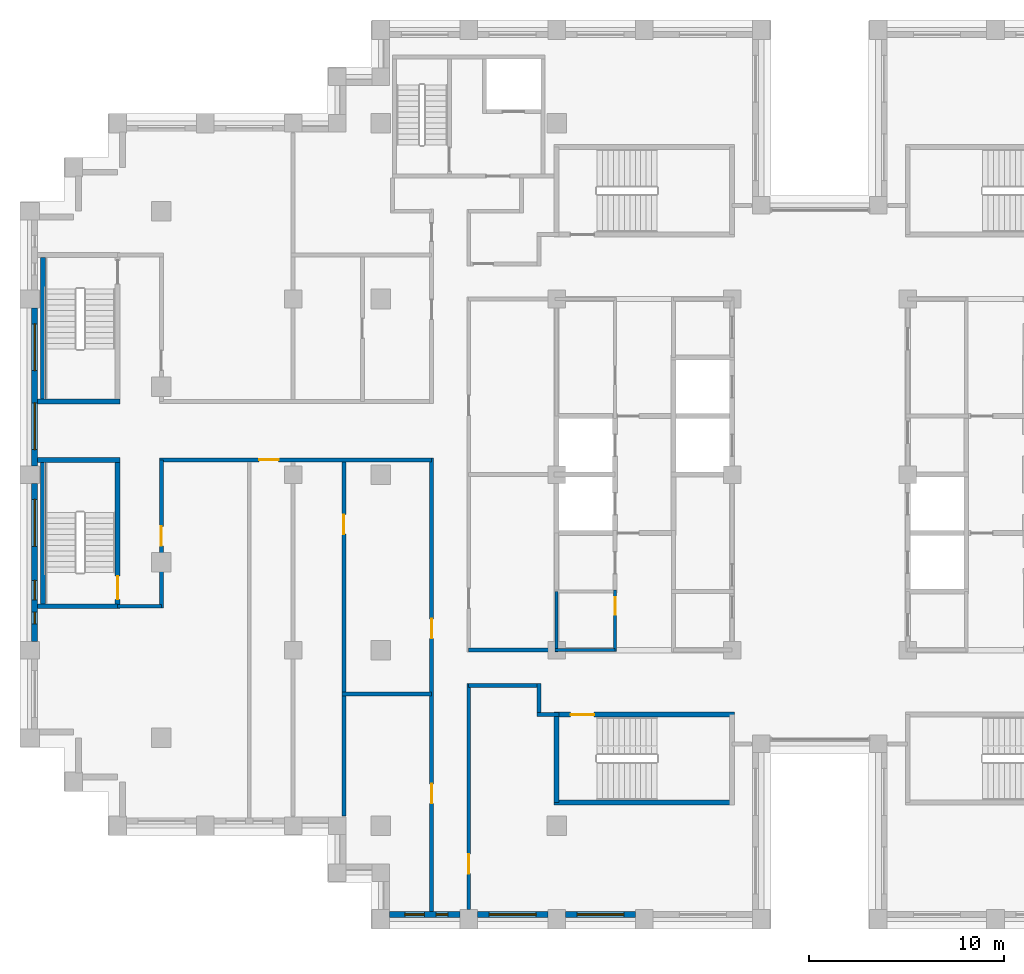
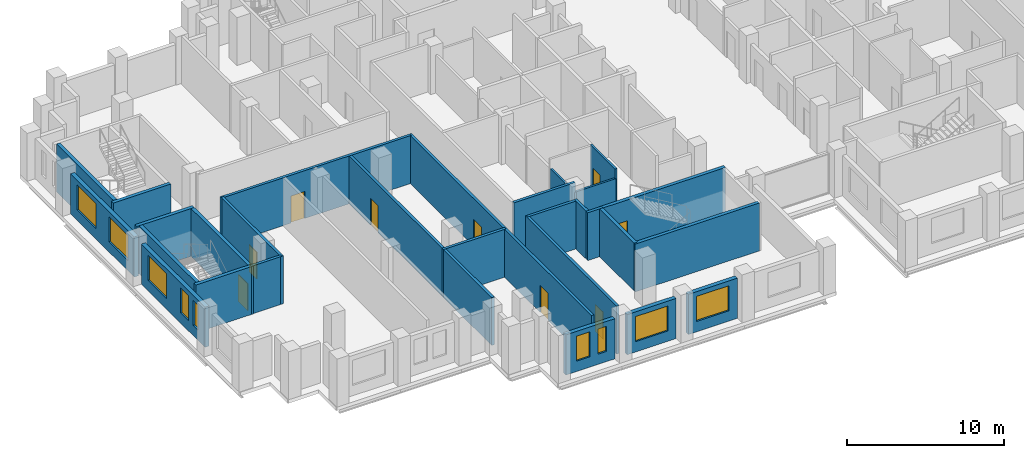
# One storey, part 6 of 15: 28 walls, 9 doors, 9 windows, 18 openings.
"""IFC4 building model written with IfcOpenShell, lengths in metres."""

from ifc_helpers import new_model, si_unit, direction, frame, frame_2d, origin, place, context, subcontext, project, spatial, rectangle, extrude, material, layer, layer_set, type_object, element, fill, save


model = new_model("IFC4")

# Units and contexts
model_context = context("Model", 3, precision=1e-05, world=origin(), true_north=direction((0.0, 1.0)))
body_context = subcontext(model_context, "Body", "Model", "MODEL_VIEW")
ifc_project = project(units=[si_unit("LENGTHUNIT", "METRE"), si_unit("AREAUNIT", "SQUARE_METRE"), si_unit("VOLUMEUNIT", "CUBIC_METRE"), si_unit("PLANEANGLEUNIT", "RADIAN"), si_unit("MASSUNIT", "GRAM", prefix="KILO")], contexts=[model_context])

# Site, building, storey
site_placement = place(None, origin())
site = spatial("IfcSite", under=ifc_project, at=site_placement, CompositionType="ELEMENT")
building_placement = place(site_placement, origin())
building = spatial("IfcBuilding", under=site, at=building_placement, Name="Corbelhall Arena Tower", CompositionType="ELEMENT")
storey_placement = place(building_placement, frame((0.0, 0.0, 200.0)))
storey = spatial("IfcBuildingStorey", under=building, at=storey_placement, Name="L41", CompositionType="ELEMENT", Elevation=200.0)

# Wall, openings, windows
ifc_material_1 = material(Name="Precast concrete C40/50 with granite facing", Category="masonry")
ifc_layer_1 = layer(ifc_material_1, 0.300048828125)
ifc_layer_set_1 = layer_set([ifc_layer_1], Name="EV-IW1 Infill panel 300")
wall_type_1 = type_object("IfcWallType", Name="EV-IW1 Infill panel 300", PredefinedType="SOLIDWALL", material=ifc_layer_set_1)
wall_1_placement = place(storey_placement, frame((-40.25, 8.550048828125, 0.0), z_axis=(0.0, 0.0, 1.0), x_axis=(0.0, -1.0, 0.0)))
wall_1 = element("IfcWall", 1, at=wall_1_placement, inside=storey, type_object=wall_type_1, Name="Infill panel IW1", PredefinedType="SOLIDWALL", context=body_context, shape_type="SweptSolid", body=[
    extrude(rectangle(XDim=8.10009765625, YDim=0.300048828125, at=frame_2d((4.050048828125, 0.0))), origin(), (0.0, 0.0, 1.0), 3.1201171875),
])
opening_1_placement = place(wall_1_placement, frame((0.824951171875, 0.0, 0.800048828125)))
opening_1 = element("IfcOpeningElement", 2, at=opening_1_placement, cuts=wall_1, Name="Opening WN1", PredefinedType="OPENING", context=body_context, shape_type="SweptSolid", body=[
    extrude(rectangle(XDim=2.39990234375, YDim=1.949951171875, at=frame_2d((1.199951171875, 0.97509765625))), frame((0.0, 0.14990234375, 0.0), z_axis=(0.0, -1.0, 0.0), x_axis=(1.0, 0.0, 0.0)), (0.0, 0.0, 1.0), 0.300048828125),
])
opening_2_placement = place(wall_1_placement, frame((4.875, 0.0, 0.800048828125)))
opening_2 = element("IfcOpeningElement", 3, at=opening_2_placement, cuts=wall_1, Name="Opening WN1", PredefinedType="OPENING", context=body_context, shape_type="SweptSolid", body=[
    extrude(rectangle(XDim=2.39990234375, YDim=1.949951171875, at=frame_2d((1.199951171875, 0.97509765625))), frame((0.0, 0.14990234375, 0.0), z_axis=(0.0, -1.0, 0.0), x_axis=(1.0, 0.0, 0.0)), (0.0, 0.0, 1.0), 0.300048828125),
])
ifc_material_2 = material(Name="Aluminium black anodised", Category="aluminium")
window_type_1 = type_object("IfcWindowType", Name="EV-WN1 Office window", PartitioningType="SINGLE_PANEL", PredefinedType="WINDOW", material=ifc_material_2)
window_1_placement = place(opening_1_placement, origin())
window_1 = element("IfcWindow", 4, at=window_1_placement, inside=storey, type_object=window_type_1, Name="Window WN1", OverallHeight=1.949951171875, OverallWidth=2.39990234375, PartitioningType="SINGLE_PANEL", PredefinedType="WINDOW", context=body_context, shape_type="SweptSolid", body=[
    extrude(rectangle(XDim=2.39990234375, YDim=1.949951171875, at=frame_2d((1.199951171875, 0.97509765625))), frame((0.0, 0.030029296875, 0.0), z_axis=(0.0, -1.0, 0.0), x_axis=(1.0, 0.0, 0.0)), (0.0, 0.0, 1.0), 0.06005859375),
])
fill(opening_1, window_1)
window_2_placement = place(opening_2_placement, origin())
window_2 = element("IfcWindow", 5, at=window_2_placement, inside=storey, type_object=window_type_1, Name="Window WN1", OverallHeight=1.949951171875, OverallWidth=2.39990234375, PartitioningType="SINGLE_PANEL", PredefinedType="WINDOW", context=body_context, shape_type="SweptSolid", body=[
    extrude(rectangle(XDim=2.39990234375, YDim=1.949951171875, at=frame_2d((1.199951171875, 0.97509765625))), frame((0.0, 0.030029296875, 0.0), z_axis=(0.0, -1.0, 0.0), x_axis=(1.0, 0.0, 0.0)), (0.0, 0.0, 1.0), 0.06005859375),
])
fill(opening_2, window_2)

wall_2_placement = place(storey_placement, frame((-40.25, -0.449951171875, 0.0), z_axis=(0.0, 0.0, 1.0), x_axis=(0.0, -1.0, 0.0)))
wall_2 = element("IfcWall", 6, at=wall_2_placement, inside=storey, type_object=wall_type_1, Name="Infill panel IW1", PredefinedType="SOLIDWALL", context=body_context, shape_type="SweptSolid", body=[
    extrude(rectangle(XDim=8.10009765625, YDim=0.300048828125, at=frame_2d((4.050048828125, 0.0))), origin(), (0.0, 0.0, 1.0), 3.1201171875),
])
opening_3_placement = place(wall_2_placement, frame((0.824951171875, 0.0, 0.800048828125)))
opening_3 = element("IfcOpeningElement", 7, at=opening_3_placement, cuts=wall_2, Name="Opening WN1", PredefinedType="OPENING", context=body_context, shape_type="SweptSolid", body=[
    extrude(rectangle(XDim=2.39990234375, YDim=1.949951171875, at=frame_2d((1.199951171875, 0.97509765625))), frame((0.0, 0.14990234375, 0.0), z_axis=(0.0, -1.0, 0.0), x_axis=(1.0, 0.0, 0.0)), (0.0, 0.0, 1.0), 0.300048828125),
])
opening_4_placement = place(wall_2_placement, frame((4.97509765625, 0.0, 0.800048828125)))
opening_4 = element("IfcOpeningElement", 8, at=opening_4_placement, cuts=wall_2, Name="Opening WN6", PredefinedType="OPENING", context=body_context, shape_type="SweptSolid", body=[
    extrude(rectangle(XDim=1.0, YDim=1.949951171875, at=frame_2d((0.5, 0.97509765625))), frame((0.0, 0.14990234375, 0.0), z_axis=(0.0, -1.0, 0.0), x_axis=(1.0, 0.0, 0.0)), (0.0, 0.0, 1.0), 0.300048828125),
])
opening_5_placement = place(wall_2_placement, frame((6.60009765625, 0.0, 0.800048828125)))
opening_5 = element("IfcOpeningElement", 9, at=opening_5_placement, cuts=wall_2, Name="Opening WN5", PredefinedType="OPENING", context=body_context, shape_type="SweptSolid", body=[
    extrude(rectangle(XDim=0.60009765625, YDim=1.949951171875, at=frame_2d((0.300048828125, 0.97509765625))), frame((0.0, 0.14990234375, 0.0), z_axis=(0.0, -1.0, 0.0), x_axis=(1.0, 0.0, 0.0)), (0.0, 0.0, 1.0), 0.300048828125),
])
window_3_placement = place(opening_3_placement, origin())
window_3 = element("IfcWindow", 10, at=window_3_placement, inside=storey, type_object=window_type_1, Name="Window WN1", OverallHeight=1.949951171875, OverallWidth=2.39990234375, PartitioningType="SINGLE_PANEL", PredefinedType="WINDOW", context=body_context, shape_type="SweptSolid", body=[
    extrude(rectangle(XDim=2.39990234375, YDim=1.949951171875, at=frame_2d((1.199951171875, 0.97509765625))), frame((0.0, 0.030029296875, 0.0), z_axis=(0.0, -1.0, 0.0), x_axis=(1.0, 0.0, 0.0)), (0.0, 0.0, 1.0), 0.06005859375),
])
fill(opening_3, window_3)
window_type_2 = type_object("IfcWindowType", Name="EV-WN5 Office window 600", PartitioningType="SINGLE_PANEL", PredefinedType="WINDOW", material=ifc_material_2)
window_4_placement = place(opening_5_placement, origin())
window_4 = element("IfcWindow", 11, at=window_4_placement, inside=storey, type_object=window_type_2, Name="Window WN5", OverallHeight=1.949951171875, OverallWidth=0.60009765625, PartitioningType="SINGLE_PANEL", PredefinedType="WINDOW", context=body_context, shape_type="SweptSolid", body=[
    extrude(rectangle(XDim=0.60009765625, YDim=1.949951171875, at=frame_2d((0.300048828125, 0.97509765625))), frame((0.0, 0.030029296875, 0.0), z_axis=(0.0, -1.0, 0.0), x_axis=(1.0, 0.0, 0.0)), (0.0, 0.0, 1.0), 0.06005859375),
])
fill(opening_5, window_4)
window_type_3 = type_object("IfcWindowType", Name="EV-WN6 Office window 1000", PartitioningType="SINGLE_PANEL", PredefinedType="WINDOW", material=ifc_material_2)
window_5_placement = place(opening_4_placement, origin())
window_5 = element("IfcWindow", 12, at=window_5_placement, inside=storey, type_object=window_type_3, Name="Window WN6", OverallHeight=1.949951171875, OverallWidth=1.0, PartitioningType="SINGLE_PANEL", PredefinedType="WINDOW", context=body_context, shape_type="SweptSolid", body=[
    extrude(rectangle(XDim=1.0, YDim=1.949951171875, at=frame_2d((0.5, 0.97509765625))), frame((0.0, 0.030029296875, 0.0), z_axis=(0.0, -1.0, 0.0), x_axis=(1.0, 0.0, 0.0)), (0.0, 0.0, 1.0), 0.06005859375),
])
fill(opening_4, window_5)

wall_3_placement = place(storey_placement, frame((-22.050048828125, -22.550048828125, 0.0), z_axis=(0.0, 0.0, 1.0), x_axis=(1.0, 0.0, 0.0)))
wall_3 = element("IfcWall", 13, at=wall_3_placement, inside=storey, type_object=wall_type_1, Name="Infill panel IW1", PredefinedType="SOLIDWALL", context=body_context, shape_type="SweptSolid", body=[
    extrude(rectangle(XDim=3.60009765625, YDim=0.300048828125, at=frame_2d((1.800048828125, 0.0))), origin(), (0.0, 0.0, 1.0), 3.1201171875),
])
opening_6_placement = place(wall_3_placement, frame((0.77490234375, 0.0, 0.800048828125)))
opening_6 = element("IfcOpeningElement", 14, at=opening_6_placement, cuts=wall_3, Name="Opening WN6", PredefinedType="OPENING", context=body_context, shape_type="SweptSolid", body=[
    extrude(rectangle(XDim=1.0, YDim=1.949951171875, at=frame_2d((0.5, 0.97509765625))), frame((0.0, 0.14990234375, 0.0), z_axis=(0.0, -1.0, 0.0), x_axis=(1.0, 0.0, 0.0)), (0.0, 0.0, 1.0), 0.300048828125),
])
opening_7_placement = place(wall_3_placement, frame((2.375, 0.0, 0.800048828125)))
opening_7 = element("IfcOpeningElement", 15, at=opening_7_placement, cuts=wall_3, Name="Opening WN5", PredefinedType="OPENING", context=body_context, shape_type="SweptSolid", body=[
    extrude(rectangle(XDim=0.60009765625, YDim=1.949951171875, at=frame_2d((0.300048828125, 0.97509765625))), frame((0.0, 0.14990234375, 0.0), z_axis=(0.0, -1.0, 0.0), x_axis=(1.0, 0.0, 0.0)), (0.0, 0.0, 1.0), 0.300048828125),
])
window_6_placement = place(opening_7_placement, origin())
window_6 = element("IfcWindow", 16, at=window_6_placement, inside=storey, type_object=window_type_2, Name="Window WN5", OverallHeight=1.949951171875, OverallWidth=0.60009765625, PartitioningType="SINGLE_PANEL", PredefinedType="WINDOW", context=body_context, shape_type="SweptSolid", body=[
    extrude(rectangle(XDim=0.60009765625, YDim=1.949951171875, at=frame_2d((0.300048828125, 0.97509765625))), frame((0.0, 0.030029296875, 0.0), z_axis=(0.0, -1.0, 0.0), x_axis=(1.0, 0.0, 0.0)), (0.0, 0.0, 1.0), 0.06005859375),
])
fill(opening_7, window_6)
window_7_placement = place(opening_6_placement, origin())
window_7 = element("IfcWindow", 17, at=window_7_placement, inside=storey, type_object=window_type_3, Name="Window WN6", OverallHeight=1.949951171875, OverallWidth=1.0, PartitioningType="SINGLE_PANEL", PredefinedType="WINDOW", context=body_context, shape_type="SweptSolid", body=[
    extrude(rectangle(XDim=1.0, YDim=1.949951171875, at=frame_2d((0.5, 0.97509765625))), frame((0.0, 0.030029296875, 0.0), z_axis=(0.0, -1.0, 0.0), x_axis=(1.0, 0.0, 0.0)), (0.0, 0.0, 1.0), 0.06005859375),
])
fill(opening_6, window_7)

# Wall, opening, window
wall_4_placement = place(storey_placement, frame((-17.550048828125, -22.550048828125, 0.0), z_axis=(0.0, 0.0, 1.0), x_axis=(1.0, 0.0, 0.0)))
wall_4 = element("IfcWall", 18, at=wall_4_placement, inside=storey, type_object=wall_type_1, Name="Infill panel IW1", PredefinedType="SOLIDWALL", context=body_context, shape_type="SweptSolid", body=[
    extrude(rectangle(XDim=3.60009765625, YDim=0.300048828125, at=frame_2d((1.800048828125, 0.0))), origin(), (0.0, 0.0, 1.0), 3.1201171875),
])
opening_8_placement = place(wall_4_placement, frame((0.60009765625, 0.0, 0.800048828125)))
opening_8 = element("IfcOpeningElement", 19, at=opening_8_placement, cuts=wall_4, Name="Opening WN1", PredefinedType="OPENING", context=body_context, shape_type="SweptSolid", body=[
    extrude(rectangle(XDim=2.39990234375, YDim=1.949951171875, at=frame_2d((1.199951171875, 0.97509765625))), frame((0.0, 0.14990234375, 0.0), z_axis=(0.0, -1.0, 0.0), x_axis=(1.0, 0.0, 0.0)), (0.0, 0.0, 1.0), 0.300048828125),
])
window_8_placement = place(opening_8_placement, origin())
window_8 = element("IfcWindow", 20, at=window_8_placement, inside=storey, type_object=window_type_1, Name="Window WN1", OverallHeight=1.949951171875, OverallWidth=2.39990234375, PartitioningType="SINGLE_PANEL", PredefinedType="WINDOW", context=body_context, shape_type="SweptSolid", body=[
    extrude(rectangle(XDim=2.39990234375, YDim=1.949951171875, at=frame_2d((1.199951171875, 0.97509765625))), frame((0.0, 0.030029296875, 0.0), z_axis=(0.0, -1.0, 0.0), x_axis=(1.0, 0.0, 0.0)), (0.0, 0.0, 1.0), 0.06005859375),
])
fill(opening_8, window_8)

wall_5_placement = place(storey_placement, frame((-13.050048828125, -22.550048828125, 0.0), z_axis=(0.0, 0.0, 1.0), x_axis=(1.0, 0.0, 0.0)))
wall_5 = element("IfcWall", 21, at=wall_5_placement, inside=storey, type_object=wall_type_1, Name="Infill panel IW1", PredefinedType="SOLIDWALL", context=body_context, shape_type="SweptSolid", body=[
    extrude(rectangle(XDim=3.60009765625, YDim=0.300048828125, at=frame_2d((1.800048828125, 0.0))), origin(), (0.0, 0.0, 1.0), 3.1201171875),
])
opening_9_placement = place(wall_5_placement, frame((0.60009765625, 0.0, 0.800048828125)))
opening_9 = element("IfcOpeningElement", 22, at=opening_9_placement, cuts=wall_5, Name="Opening WN1", PredefinedType="OPENING", context=body_context, shape_type="SweptSolid", body=[
    extrude(rectangle(XDim=2.39990234375, YDim=1.949951171875, at=frame_2d((1.199951171875, 0.97509765625))), frame((0.0, 0.14990234375, 0.0), z_axis=(0.0, -1.0, 0.0), x_axis=(1.0, 0.0, 0.0)), (0.0, 0.0, 1.0), 0.300048828125),
])
window_9_placement = place(opening_9_placement, origin())
window_9 = element("IfcWindow", 23, at=window_9_placement, inside=storey, type_object=window_type_1, Name="Window WN1", OverallHeight=1.949951171875, OverallWidth=2.39990234375, PartitioningType="SINGLE_PANEL", PredefinedType="WINDOW", context=body_context, shape_type="SweptSolid", body=[
    extrude(rectangle(XDim=2.39990234375, YDim=1.949951171875, at=frame_2d((1.199951171875, 0.97509765625))), frame((0.0, 0.030029296875, 0.0), z_axis=(0.0, -1.0, 0.0), x_axis=(1.0, 0.0, 0.0)), (0.0, 0.0, 1.0), 0.06005859375),
])
fill(opening_9, window_9)

# Wall
ifc_material_3 = material(Name="Gypsum board on steel stud, acoustic", Category="steel")
ifc_layer_2 = layer(ifc_material_3, 0.199951171875)
ifc_layer_set_2 = layer_set([ifc_layer_2], Name="IN-W-DM200")
wall_type_2 = type_object("IfcWallType", Name="IN-W-DM200", PredefinedType="PARTITIONING", material=ifc_layer_set_2)
wall_6_placement = place(storey_placement, frame((-33.75, -6.75, 0.0), z_axis=(0.0, 0.0, 1.0), x_axis=(-1.0, 0.0, 0.0)))
element("IfcWall", 24, at=wall_6_placement, inside=storey, type_object=wall_type_2, Name="Partition 003", PredefinedType="PARTITIONING", context=body_context, shape_type="SweptSolid", body=[
    extrude(rectangle(XDim=2.25, YDim=0.199951171875, at=frame_2d((1.125, 0.0))), origin(), (0.0, 0.0, 1.0), 3.719970703125),
])

# Wall, opening, door
wall_7_placement = place(storey_placement, frame((-33.75, 0.75, 0.0), z_axis=(0.0, 0.0, 1.0), x_axis=(0.0, -1.0, 0.0)))
wall_7 = element("IfcWall", 25, at=wall_7_placement, inside=storey, type_object=wall_type_2, Name="Partition 004", PredefinedType="PARTITIONING", context=body_context, shape_type="SweptSolid", body=[
    extrude(rectangle(XDim=7.60009765625, YDim=0.199951171875, at=frame_2d((3.800048828125, 0.0))), origin(), (0.0, 0.0, 1.0), 3.719970703125),
])
opening_10_placement = place(wall_7_placement, frame((3.39990234375, 0.0, 0.0)))
opening_10 = element("IfcOpeningElement", 26, at=opening_10_placement, cuts=wall_7, Name="Opening 12044", PredefinedType="OPENING", context=body_context, shape_type="SweptSolid", body=[
    extrude(rectangle(XDim=1.0, YDim=2.10009765625, at=frame_2d((0.5, 1.050048828125))), frame((0.0, 0.10009765625, 0.0), z_axis=(0.0, -1.0, 0.0), x_axis=(1.0, 0.0, 0.0)), (0.0, 0.0, 1.0), 0.199951171875),
])
ifc_material_4 = material(Name="Steel door set", Category="steel")
door_type_1 = type_object("IfcDoorType", Name="IN-D-SW100", OperationType="NOTDEFINED", PredefinedType="DOOR", material=ifc_material_4)
door_1_placement = place(opening_10_placement, origin())
door_1 = element("IfcDoor", 27, at=door_1_placement, inside=storey, type_object=door_type_1, Name="Door 044", OperationType="SINGLE_SWING_LEFT", OverallHeight=2.10009765625, OverallWidth=1.0, PredefinedType="DOOR", context=body_context, shape_type="SweptSolid", body=[
    extrude(rectangle(XDim=1.0, YDim=2.10009765625, at=frame_2d((0.5, 1.050048828125))), frame((0.0, 0.02490234375, 0.0), z_axis=(0.0, -1.0, 0.0), x_axis=(1.0, 0.0, 0.0)), (0.0, 0.0, 1.0), 0.050048828125),
])
fill(opening_10, door_1)

wall_8_placement = place(storey_placement, frame((-19.89990234375, 0.75, 0.0), z_axis=(0.0, 0.0, 1.0), x_axis=(-1.0, 0.0, 0.0)))
wall_8 = element("IfcWall", 28, at=wall_8_placement, inside=storey, type_object=wall_type_2, Name="Partition 007", PredefinedType="PARTITIONING", context=body_context, shape_type="SweptSolid", body=[
    extrude(rectangle(XDim=13.9501953125, YDim=0.199951171875, at=frame_2d((6.97509765625, 0.0))), origin(), (0.0, 0.0, 1.0), 3.719970703125),
])
opening_11_placement = place(wall_8_placement, frame((7.85009765625, 0.0, 0.0)))
opening_11 = element("IfcOpeningElement", 29, at=opening_11_placement, cuts=wall_8, Name="Opening 12045", PredefinedType="OPENING", context=body_context, shape_type="SweptSolid", body=[
    extrude(rectangle(XDim=1.0, YDim=2.10009765625, at=frame_2d((0.5, 1.050048828125))), frame((0.0, 0.10009765625, 0.0), z_axis=(0.0, -1.0, 0.0), x_axis=(1.0, 0.0, 0.0)), (0.0, 0.0, 1.0), 0.199951171875),
])
door_2_placement = place(opening_11_placement, origin())
door_2 = element("IfcDoor", 30, at=door_2_placement, inside=storey, type_object=door_type_1, Name="Door 045", OperationType="SINGLE_SWING_RIGHT", OverallHeight=2.10009765625, OverallWidth=1.0, PredefinedType="DOOR", context=body_context, shape_type="SweptSolid", body=[
    extrude(rectangle(XDim=1.0, YDim=2.10009765625, at=frame_2d((0.5, 1.050048828125))), frame((0.0, 0.02490234375, 0.0), z_axis=(0.0, -1.0, 0.0), x_axis=(1.0, 0.0, 0.0)), (0.0, 0.0, 1.0), 0.050048828125),
])
fill(opening_11, door_2)

# Wall
wall_9_placement = place(storey_placement, frame((-24.5, -11.25, 0.0), z_axis=(0.0, 0.0, 1.0), x_axis=(1.0, 0.0, 0.0)))
element("IfcWall", 31, at=wall_9_placement, inside=storey, type_object=wall_type_2, Name="Partition 011", PredefinedType="PARTITIONING", context=body_context, shape_type="SweptSolid", body=[
    extrude(rectangle(XDim=4.60009765625, YDim=0.199951171875, at=frame_2d((2.300048828125, 0.0))), origin(), (0.0, 0.0, 1.0), 3.719970703125),
])

# Wall, opening, door
wall_10_placement = place(storey_placement, frame((-24.39990234375, -17.5, 0.0), z_axis=(0.0, 0.0, 1.0), x_axis=(0.0, 1.0, 0.0)))
wall_10 = element("IfcWall", 32, at=wall_10_placement, inside=storey, type_object=wall_type_2, Name="Partition 012", PredefinedType="PARTITIONING", context=body_context, shape_type="SweptSolid", body=[
    extrude(rectangle(XDim=18.25, YDim=0.199951171875, at=frame_2d((9.125, 0.0))), origin(), (0.0, 0.0, 1.0), 3.719970703125),
])
opening_12_placement = place(wall_10_placement, frame((14.449951171875, 0.0, 0.0)))
opening_12 = element("IfcOpeningElement", 33, at=opening_12_placement, cuts=wall_10, Name="Opening 12035", PredefinedType="OPENING", context=body_context, shape_type="SweptSolid", body=[
    extrude(rectangle(XDim=1.0, YDim=2.10009765625, at=frame_2d((0.5, 1.050048828125))), frame((0.0, 0.10009765625, 0.0), z_axis=(0.0, -1.0, 0.0), x_axis=(1.0, 0.0, 0.0)), (0.0, 0.0, 1.0), 0.199951171875),
])
door_3_placement = place(opening_12_placement, origin())
door_3 = element("IfcDoor", 34, at=door_3_placement, inside=storey, type_object=door_type_1, Name="Door 035", OperationType="SINGLE_SWING_RIGHT", OverallHeight=2.10009765625, OverallWidth=1.0, PredefinedType="DOOR", context=body_context, shape_type="SweptSolid", body=[
    extrude(rectangle(XDim=1.0, YDim=2.10009765625, at=frame_2d((0.5, 1.050048828125))), frame((0.0, 0.02490234375, 0.0), z_axis=(0.0, -1.0, 0.0), x_axis=(1.0, 0.0, 0.0)), (0.0, 0.0, 1.0), 0.050048828125),
])
fill(opening_12, door_3)

# Wall, openings, doors
wall_11_placement = place(storey_placement, frame((-19.89990234375, -22.39990234375, 0.0), z_axis=(0.0, 0.0, 1.0), x_axis=(0.0, 1.0, 0.0)))
wall_11 = element("IfcWall", 35, at=wall_11_placement, inside=storey, type_object=wall_type_2, Name="Partition 015", PredefinedType="PARTITIONING", context=body_context, shape_type="SweptSolid", body=[
    extrude(rectangle(XDim=23.25, YDim=0.199951171875, at=frame_2d((11.625, 0.0))), origin(), (0.0, 0.0, 1.0), 3.719970703125),
])
opening_13_placement = place(wall_11_placement, frame((5.550048828125, 0.0, 0.0)))
opening_13 = element("IfcOpeningElement", 36, at=opening_13_placement, cuts=wall_11, Name="Opening 12033", PredefinedType="OPENING", context=body_context, shape_type="SweptSolid", body=[
    extrude(rectangle(XDim=1.0, YDim=2.10009765625, at=frame_2d((0.5, 1.050048828125))), frame((0.0, 0.10009765625, 0.0), z_axis=(0.0, -1.0, 0.0), x_axis=(1.0, 0.0, 0.0)), (0.0, 0.0, 1.0), 0.199951171875),
])
opening_14_placement = place(wall_11_placement, frame((14.0, 0.0, 0.0)))
opening_14 = element("IfcOpeningElement", 37, at=opening_14_placement, cuts=wall_11, Name="Opening 12034", PredefinedType="OPENING", context=body_context, shape_type="SweptSolid", body=[
    extrude(rectangle(XDim=1.0, YDim=2.10009765625, at=frame_2d((0.5, 1.050048828125))), frame((0.0, 0.10009765625, 0.0), z_axis=(0.0, -1.0, 0.0), x_axis=(1.0, 0.0, 0.0)), (0.0, 0.0, 1.0), 0.199951171875),
])
door_4_placement = place(opening_13_placement, origin())
door_4 = element("IfcDoor", 38, at=door_4_placement, inside=storey, type_object=door_type_1, Name="Door 033", OperationType="SINGLE_SWING_RIGHT", OverallHeight=2.10009765625, OverallWidth=1.0, PredefinedType="DOOR", context=body_context, shape_type="SweptSolid", body=[
    extrude(rectangle(XDim=1.0, YDim=2.10009765625, at=frame_2d((0.5, 1.050048828125))), frame((0.0, 0.02490234375, 0.0), z_axis=(0.0, -1.0, 0.0), x_axis=(1.0, 0.0, 0.0)), (0.0, 0.0, 1.0), 0.050048828125),
])
fill(opening_13, door_4)
door_5_placement = place(opening_14_placement, origin())
door_5 = element("IfcDoor", 39, at=door_5_placement, inside=storey, type_object=door_type_1, Name="Door 034", OperationType="SINGLE_SWING_LEFT", OverallHeight=2.10009765625, OverallWidth=1.0, PredefinedType="DOOR", context=body_context, shape_type="SweptSolid", body=[
    extrude(rectangle(XDim=1.0, YDim=2.10009765625, at=frame_2d((0.5, 1.050048828125))), frame((0.0, 0.02490234375, 0.0), z_axis=(0.0, -1.0, 0.0), x_axis=(1.0, 0.0, 0.0)), (0.0, 0.0, 1.0), 0.050048828125),
])
fill(opening_14, door_5)

# Wall, opening, door
wall_12_placement = place(storey_placement, frame((-18.0, -10.699951171875, 0.0), z_axis=(0.0, 0.0, 1.0), x_axis=(0.0, -1.0, 0.0)))
wall_12 = element("IfcWall", 40, at=wall_12_placement, inside=storey, type_object=wall_type_2, Name="Partition 018", PredefinedType="PARTITIONING", context=body_context, shape_type="SweptSolid", body=[
    extrude(rectangle(XDim=11.60009765625, YDim=0.199951171875, at=frame_2d((5.800048828125, 0.0))), origin(), (0.0, 0.0, 1.0), 3.719970703125),
])
opening_15_placement = place(wall_12_placement, frame((8.75, 0.0, 0.0)))
opening_15 = element("IfcOpeningElement", 41, at=opening_15_placement, cuts=wall_12, Name="Opening 12029", PredefinedType="OPENING", context=body_context, shape_type="SweptSolid", body=[
    extrude(rectangle(XDim=1.0, YDim=2.10009765625, at=frame_2d((0.5, 1.050048828125))), frame((0.0, 0.10009765625, 0.0), z_axis=(0.0, -1.0, 0.0), x_axis=(1.0, 0.0, 0.0)), (0.0, 0.0, 1.0), 0.199951171875),
])
door_6_placement = place(opening_15_placement, origin())
door_6 = element("IfcDoor", 42, at=door_6_placement, inside=storey, type_object=door_type_1, Name="Door 029", OperationType="SINGLE_SWING_RIGHT", OverallHeight=2.10009765625, OverallWidth=1.0, PredefinedType="DOOR", context=body_context, shape_type="SweptSolid", body=[
    extrude(rectangle(XDim=1.0, YDim=2.10009765625, at=frame_2d((0.5, 1.050048828125))), frame((0.0, 0.02490234375, 0.0), z_axis=(0.0, -1.0, 0.0), x_axis=(1.0, 0.0, 0.0)), (0.0, 0.0, 1.0), 0.050048828125),
])
fill(opening_15, door_6)

# Walls
wall_13_placement = place(storey_placement, frame((-18.0, -9.0, 0.0), z_axis=(0.0, 0.0, 1.0), x_axis=(1.0, 0.0, 0.0)))
element("IfcWall", 43, at=wall_13_placement, inside=storey, type_object=wall_type_2, Name="Partition 019", PredefinedType="PARTITIONING", context=body_context, shape_type="SweptSolid", body=[
    extrude(rectangle(XDim=4.5, YDim=0.199951171875, at=frame_2d((2.25, 0.0))), origin(), (0.0, 0.0, 1.0), 3.719970703125),
])
wall_14_placement = place(storey_placement, frame((-14.39990234375, -12.300048828125, 0.0), z_axis=(0.0, 0.0, 1.0), x_axis=(0.0, 1.0, 0.0)))
element("IfcWall", 44, at=wall_14_placement, inside=storey, type_object=wall_type_2, Name="Partition 027", PredefinedType="PARTITIONING", context=body_context, shape_type="SweptSolid", body=[
    extrude(rectangle(XDim=1.60009765625, YDim=0.199951171875, at=frame_2d((0.800048828125, 0.0))), origin(), (0.0, 0.0, 1.0), 3.719970703125),
])
wall_15_placement = place(storey_placement, frame((-14.39990234375, -10.800048828125, 0.0), z_axis=(0.0, 0.0, 1.0), x_axis=(-1.0, 0.0, 0.0)))
element("IfcWall", 45, at=wall_15_placement, inside=storey, type_object=wall_type_2, Name="Partition 028", PredefinedType="PARTITIONING", context=body_context, shape_type="SweptSolid", body=[
    extrude(rectangle(XDim=3.60009765625, YDim=0.199951171875, at=frame_2d((1.800048828125, 0.0))), origin(), (0.0, 0.0, 1.0), 3.719970703125),
])
wall_16_placement = place(storey_placement, frame((-13.375, -12.300048828125, 0.0), z_axis=(0.0, 0.0, 1.0), x_axis=(-1.0, 0.0, 0.0)))
element("IfcWall", 46, at=wall_16_placement, inside=storey, type_object=wall_type_2, Name="Partition 031", PredefinedType="PARTITIONING", context=body_context, shape_type="SweptSolid", body=[
    extrude(rectangle(XDim=1.125, YDim=0.199951171875, at=frame_2d((0.5625, 0.0))), origin(), (0.0, 0.0, 1.0), 3.719970703125),
])
ifc_material_5 = material(Name="Concrete C40/50", Category="concrete")
ifc_layer_3 = layer(ifc_material_5, 0.25)
ifc_layer_set_3 = layer_set([ifc_layer_3], Name="IN-W-ST250")
wall_type_3 = type_object("IfcWallType", Name="IN-W-ST250", PredefinedType="SOLIDWALL", material=ifc_layer_set_3)
wall_17_placement = place(storey_placement, frame((-40.10009765625, 3.75, 0.0), z_axis=(0.0, 0.0, 1.0), x_axis=(1.0, 0.0, 0.0)))
element("IfcWall", 47, at=wall_17_placement, inside=storey, type_object=wall_type_3, Name="Shaft wall 096", PredefinedType="SOLIDWALL", context=body_context, shape_type="SweptSolid", body=[
    extrude(rectangle(XDim=4.22509765625, YDim=0.25, at=frame_2d((2.112548828125, 0.0))), origin(), (0.0, 0.0, 1.0), 3.719970703125),
])
wall_18_placement = place(storey_placement, frame((-36.0, -6.75, 0.0), z_axis=(0.0, 0.0, 1.0), x_axis=(-1.0, 0.0, 0.0)))
element("IfcWall", 48, at=wall_18_placement, inside=storey, type_object=wall_type_3, Name="Shaft wall 098", PredefinedType="SOLIDWALL", context=body_context, shape_type="SweptSolid", body=[
    extrude(rectangle(XDim=4.10009765625, YDim=0.25, at=frame_2d((2.050048828125, 0.0))), origin(), (0.0, 0.0, 1.0), 3.719970703125),
])

# Wall, opening, door
wall_19_placement = place(storey_placement, frame((-36.0, 0.75, 0.0), z_axis=(0.0, 0.0, 1.0), x_axis=(0.0, -1.0, 0.0)))
wall_19 = element("IfcWall", 49, at=wall_19_placement, inside=storey, type_object=wall_type_3, Name="Shaft wall 099", PredefinedType="SOLIDWALL", context=body_context, shape_type="SweptSolid", body=[
    extrude(rectangle(XDim=7.625, YDim=0.25, at=frame_2d((3.8125, 0.0))), origin(), (0.0, 0.0, 1.0), 3.719970703125),
])
opening_16_placement = place(wall_19_placement, frame((5.949951171875, 0.0, 0.0)))
opening_16 = element("IfcOpeningElement", 50, at=opening_16_placement, cuts=wall_19, Name="Opening 12022", PredefinedType="OPENING", context=body_context, shape_type="SweptSolid", body=[
    extrude(rectangle(XDim=1.199951171875, YDim=2.10009765625, at=frame_2d((0.60009765625, 1.050048828125))), frame((0.0, 0.125, 0.0), z_axis=(0.0, -1.0, 0.0), x_axis=(1.0, 0.0, 0.0)), (0.0, 0.0, 1.0), 0.25),
])
door_type_2 = type_object("IfcDoorType", Name="IN-D-ST120", OperationType="NOTDEFINED", PredefinedType="DOOR", material=ifc_material_4)
door_7_placement = place(opening_16_placement, origin())
door_7 = element("IfcDoor", 51, at=door_7_placement, inside=storey, type_object=door_type_2, Name="Door 022", OperationType="SINGLE_SWING_LEFT", OverallHeight=2.10009765625, OverallWidth=1.199951171875, PredefinedType="DOOR", context=body_context, shape_type="SweptSolid", body=[
    extrude(rectangle(XDim=1.199951171875, YDim=2.10009765625, at=frame_2d((0.60009765625, 1.050048828125))), frame((0.0, 0.02490234375, 0.0), z_axis=(0.0, -1.0, 0.0), x_axis=(1.0, 0.0, 0.0)), (0.0, 0.0, 1.0), 0.050048828125),
])
fill(opening_16, door_7)

# Walls
wall_20_placement = place(storey_placement, frame((-35.875, 0.75, 0.0), z_axis=(0.0, 0.0, 1.0), x_axis=(-1.0, 0.0, 0.0)))
element("IfcWall", 52, at=wall_20_placement, inside=storey, type_object=wall_type_3, Name="Shaft wall 101", PredefinedType="SOLIDWALL", context=body_context, shape_type="SweptSolid", body=[
    extrude(rectangle(XDim=4.22509765625, YDim=0.25, at=frame_2d((2.112548828125, 0.0))), origin(), (0.0, 0.0, 1.0), 3.719970703125),
])
wall_21_placement = place(storey_placement, frame((-13.5, -16.800048828125, 0.0), z_axis=(0.0, 0.0, 1.0), x_axis=(0.0, 1.0, 0.0)))
element("IfcWall", 53, at=wall_21_placement, inside=storey, type_object=wall_type_3, Name="Shaft wall 104", PredefinedType="SOLIDWALL", context=body_context, shape_type="SweptSolid", body=[
    extrude(rectangle(XDim=4.5, YDim=0.25, at=frame_2d((2.25, 0.0))), origin(), (0.0, 0.0, 1.0), 3.719970703125),
])
wall_22_placement = place(storey_placement, frame((-4.5, -16.800048828125, 0.0), z_axis=(0.0, 0.0, 1.0), x_axis=(-1.0, 0.0, 0.0)))
element("IfcWall", 54, at=wall_22_placement, inside=storey, type_object=wall_type_3, Name="Shaft wall 106", PredefinedType="SOLIDWALL", context=body_context, shape_type="SweptSolid", body=[
    extrude(rectangle(XDim=9.125, YDim=0.25, at=frame_2d((4.5625, 0.0))), origin(), (0.0, 0.0, 1.0), 3.719970703125),
])

# Wall, opening, door
wall_23_placement = place(storey_placement, frame((-4.375, -12.300048828125, 0.0), z_axis=(0.0, 0.0, 1.0), x_axis=(-1.0, 0.0, 0.0)))
wall_23 = element("IfcWall", 55, at=wall_23_placement, inside=storey, type_object=wall_type_3, Name="Shaft wall 109", PredefinedType="SOLIDWALL", context=body_context, shape_type="SweptSolid", body=[
    extrude(rectangle(XDim=9.25, YDim=0.25, at=frame_2d((4.625, 0.0))), origin(), (0.0, 0.0, 1.0), 3.719970703125),
])
opening_17_placement = place(wall_23_placement, frame((7.199951171875, 0.0, 0.0)))
opening_17 = element("IfcOpeningElement", 56, at=opening_17_placement, cuts=wall_23, Name="Opening 12018", PredefinedType="OPENING", context=body_context, shape_type="SweptSolid", body=[
    extrude(rectangle(XDim=1.199951171875, YDim=2.10009765625, at=frame_2d((0.60009765625, 1.050048828125))), frame((0.0, 0.125, 0.0), z_axis=(0.0, -1.0, 0.0), x_axis=(1.0, 0.0, 0.0)), (0.0, 0.0, 1.0), 0.25),
])
door_8_placement = place(opening_17_placement, origin())
door_8 = element("IfcDoor", 57, at=door_8_placement, inside=storey, type_object=door_type_2, Name="Door 018", OperationType="SINGLE_SWING_LEFT", OverallHeight=2.10009765625, OverallWidth=1.199951171875, PredefinedType="DOOR", context=body_context, shape_type="SweptSolid", body=[
    extrude(rectangle(XDim=1.199951171875, YDim=2.10009765625, at=frame_2d((0.60009765625, 1.050048828125))), frame((0.0, 0.02490234375, 0.0), z_axis=(0.0, -1.0, 0.0), x_axis=(1.0, 0.0, 0.0)), (0.0, 0.0, 1.0), 0.050048828125),
])
fill(opening_17, door_8)

# Walls
for number, where, z_axis, x_axis, name in (
    (58, (-39.824951171875, 3.875, 0.0), (0.0, 0.0, 1.0), (0.0, 1.0, 0.0), "Shaft wall SC1 facade side"),
    (59, (-39.824951171875, -6.625, 0.0), (0.0, 0.0, 1.0), (0.0, 1.0, 0.0), "Shaft wall SC2 facade side"),
):
    element("IfcWall", number, at=place(storey_placement, frame(where, z_axis=z_axis, x_axis=x_axis)), inside=storey, type_object=wall_type_3, Name=name, PredefinedType="SOLIDWALL", context=body_context, shape_type="SweptSolid", body=[
        extrude(rectangle(XDim=7.25, YDim=0.25, at=frame_2d((3.625, 0.0))), origin(), (0.0, 0.0, 1.0), 3.719970703125),
    ])

# Wall, opening, door
ifc_material_6 = material(Name="Gypsum board on steel stud, moisture resistant", Category="steel")
ifc_layer_4 = layer(ifc_material_6, 0.14990234375)
ifc_layer_set_4 = layer_set([ifc_layer_4], Name="IN-W-WC150")
wall_type_4 = type_object("IfcWallType", Name="IN-W-WC150", PredefinedType="PARTITIONING", material=ifc_layer_set_4)
wall_24_placement = place(storey_placement, frame((-10.5, -9.074951171875, 0.0), z_axis=(0.0, 0.0, 1.0), x_axis=(0.0, 1.0, 0.0)))
wall_24 = element("IfcWall", 60, at=wall_24_placement, inside=storey, type_object=wall_type_4, Name="Partition 122", PredefinedType="PARTITIONING", context=body_context, shape_type="SweptSolid", body=[
    extrude(rectangle(XDim=3.14990234375, YDim=0.14990234375, at=frame_2d((1.574951171875, 0.0))), origin(), (0.0, 0.0, 1.0), 3.719970703125),
])
opening_18_placement = place(wall_24_placement, frame((1.89990234375, 0.0, 0.0)))
opening_18 = element("IfcOpeningElement", 61, at=opening_18_placement, cuts=wall_24, Name="Opening 12006", PredefinedType="OPENING", context=body_context, shape_type="SweptSolid", body=[
    extrude(rectangle(XDim=0.89990234375, YDim=2.10009765625, at=frame_2d((0.449951171875, 1.050048828125))), frame((0.0, 0.074951171875, 0.0), z_axis=(0.0, -1.0, 0.0), x_axis=(1.0, 0.0, 0.0)), (0.0, 0.0, 1.0), 0.14990234375),
])
ifc_material_7 = material(Name="Timber door set", Category="wood")
door_type_3 = type_object("IfcDoorType", Name="IN-D-SW90", OperationType="NOTDEFINED", PredefinedType="DOOR", material=ifc_material_7)
door_9_placement = place(opening_18_placement, origin())
door_9 = element("IfcDoor", 62, at=door_9_placement, inside=storey, type_object=door_type_3, Name="Door 006", OperationType="SINGLE_SWING_LEFT", OverallHeight=2.10009765625, OverallWidth=0.89990234375, PredefinedType="DOOR", context=body_context, shape_type="SweptSolid", body=[
    extrude(rectangle(XDim=0.89990234375, YDim=2.10009765625, at=frame_2d((0.449951171875, 1.050048828125))), frame((0.0, 0.02490234375, 0.0), z_axis=(0.0, -1.0, 0.0), x_axis=(1.0, 0.0, 0.0)), (0.0, 0.0, 1.0), 0.050048828125),
])
fill(opening_18, door_9)

# Walls
ifc_layer_5 = layer(ifc_material_6, 0.14990234375)
ifc_layer_set_5 = layer_set([ifc_layer_5], Name="IN-W-WC150 under beam 762 mm")
wall_type_5 = type_object("IfcWallType", Name="IN-W-WC150 under beam 762 mm", PredefinedType="PARTITIONING", material=ifc_layer_set_5)
wall_25_placement = place(storey_placement, frame((-13.5, -9.10009765625, 0.0), z_axis=(0.0, 0.0, 1.0), x_axis=(0.0, 1.0, 0.0)))
element("IfcWall", 63, at=wall_25_placement, inside=storey, type_object=wall_type_5, Name="Partition 120", PredefinedType="PARTITIONING", context=body_context, shape_type="SweptSolid", body=[
    extrude(rectangle(XDim=3.10009765625, YDim=0.14990234375, at=frame_2d((1.550048828125, 0.0))), origin(), (0.0, 0.0, 1.0), 2.9580078125),
])
wall_26_placement = place(storey_placement, frame((-10.5, -9.0, 0.0), z_axis=(0.0, 0.0, 1.0), x_axis=(-1.0, 0.0, 0.0)))
element("IfcWall", 64, at=wall_26_placement, inside=storey, type_object=wall_type_5, Name="Partition 123", PredefinedType="PARTITIONING", context=body_context, shape_type="SweptSolid", body=[
    extrude(rectangle(XDim=3.074951171875, YDim=0.14990234375, at=frame_2d((1.53759765625, 0.0))), origin(), (0.0, 0.0, 1.0), 2.9580078125),
])

save(model, "model.ifc")
